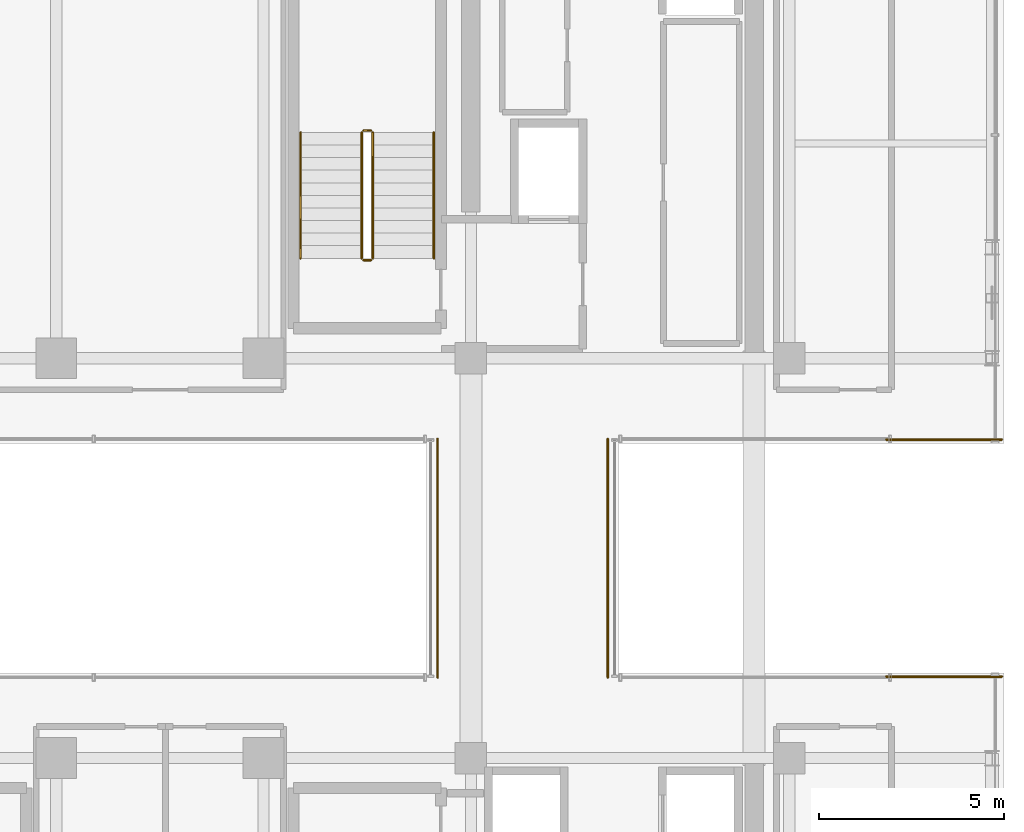
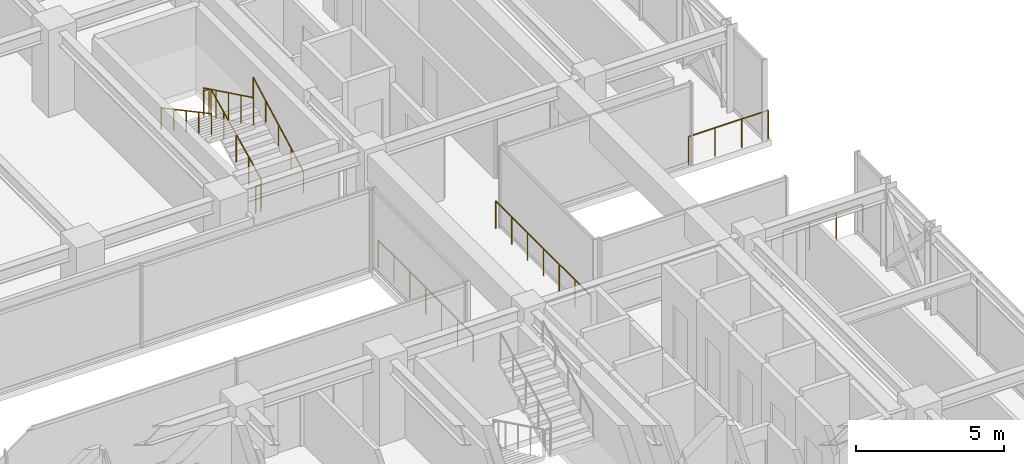
# One storey, part 35 of 36: 10 railings.
"""IFC4 building model written with IfcOpenShell, lengths in metres."""

from ifc_helpers import new_model, si_unit, direction, frame, origin, origin_2d, place, context, subcontext, project, spatial, circle, extrude, material, type_object, element, save


model = new_model("IFC4")

# Units and contexts
model_context = context("Model", 3, precision=1e-05, world=origin(), true_north=direction((0.0, 1.0)))
body_context = subcontext(model_context, "Body", "Model", "MODEL_VIEW")
ifc_project = project(units=[si_unit("LENGTHUNIT", "METRE"), si_unit("AREAUNIT", "SQUARE_METRE"), si_unit("VOLUMEUNIT", "CUBIC_METRE"), si_unit("PLANEANGLEUNIT", "RADIAN"), si_unit("MASSUNIT", "GRAM", prefix="KILO")], contexts=[model_context])

# Site, building, storey
site_placement = place(None, origin())
site = spatial("IfcSite", under=ifc_project, at=site_placement, CompositionType="ELEMENT")
building_placement = place(site_placement, origin())
building = spatial("IfcBuilding", under=site, at=building_placement, Name="Nahalor Promenade Grand Hotel", CompositionType="ELEMENT")
storey_placement = place(building_placement, frame((0.0, 0.0, 170.89990234375)))
storey = spatial("IfcBuildingStorey", under=building, at=storey_placement, Name="L43", CompositionType="ELEMENT", Elevation=170.89990234375)

# Railings
ifc_material_1 = material(Name="Anodised Bronze Aluminium EN AW-6063 T6", Category="aluminium")
railing_type_1 = type_object("IfcRailingType", Name="Bronze Balcony Guardrail 1200 mm", PredefinedType="GUARDRAIL", material=ifc_material_1)
for number, where, name in (
    (1, (19.6201171875, -3.199951171875, 0.0), "L43 Oculus Void Edge Guardrail ES"),
    (2, (19.6201171875, 3.199951171875, 0.0), "L43 Oculus Void Edge Guardrail EN"),
):
    element("IfcRailing", number, at=place(storey_placement, frame(where)), inside=storey, type_object=railing_type_1, Name=name, PredefinedType="GUARDRAIL", context=body_context, shape_type="SweptSolid", body=[
        extrude(circle(Radius=0.024048, at=origin_2d()), frame((0.0, 0.0, 1.17578125), z_axis=(1.0, 0.0, 0.0), x_axis=(0.0, 1.0, 0.0)), (0.0, 0.0, 1.0), 3.119873046875),
        extrude(circle(Radius=0.020996, at=origin_2d()), origin(), (0.0, 0.0, 1.0), 1.14990234375),
        extrude(circle(Radius=0.020996, at=origin_2d()), frame((1.0400390625, 0.0, 0.0)), (0.0, 0.0, 1.0), 1.14990234375),
        extrude(circle(Radius=0.020996, at=origin_2d()), frame((2.079833984375, 0.0, 0.0)), (0.0, 0.0, 1.0), 1.14990234375),
        extrude(circle(Radius=0.020996, at=origin_2d()), frame((3.119873046875, 0.0, 0.0)), (0.0, 0.0, 1.0), 1.14990234375),
    ])
railing_type_2 = type_object("IfcRailingType", Name="Bronze Sky Balustrade 1150 mm", PredefinedType="BALUSTRADE", material=ifc_material_1)
for number, where, name in (
    (3, (7.5, -3.219970703125, 0.0), "BL-L43-BRG-W"),
    (4, (12.10009765625, -3.219970703125, 0.0), "BL-L43-BRG-E"),
):
    element("IfcRailing", number, at=place(storey_placement, frame(where)), inside=storey, type_object=railing_type_2, Name=name, PredefinedType="BALUSTRADE", context=body_context, shape_type="SweptSolid", body=[
        extrude(circle(Radius=0.024048, at=origin_2d()), frame((0.0, 0.0, 1.1259765625), z_axis=(0.0, 1.0, 0.0), x_axis=(-1.0, 0.0, 0.0)), (0.0, 0.0, 1.0), 6.43994140625),
        extrude(circle(Radius=0.020996, at=origin_2d()), origin(), (0.0, 0.0, 1.0), 1.099853515625),
        extrude(circle(Radius=0.020996, at=origin_2d()), frame((0.0, 1.0732421875, 0.0)), (0.0, 0.0, 1.0), 1.099853515625),
        extrude(circle(Radius=0.020996, at=origin_2d()), frame((0.0, 2.146728515625, 0.0)), (0.0, 0.0, 1.0), 1.099853515625),
        extrude(circle(Radius=0.020996, at=origin_2d()), frame((0.0, 3.219970703125, 0.0)), (0.0, 0.0, 1.0), 1.099853515625),
        extrude(circle(Radius=0.020996, at=origin_2d()), frame((0.0, 4.293212890625, 0.0)), (0.0, 0.0, 1.0), 1.099853515625),
        extrude(circle(Radius=0.020996, at=origin_2d()), frame((0.0, 5.36669921875, 0.0)), (0.0, 0.0, 1.0), 1.099853515625),
        extrude(circle(Radius=0.020996, at=origin_2d()), frame((0.0, 6.43994140625, 0.0)), (0.0, 0.0, 1.0), 1.099853515625),
    ])
ifc_material_2 = material(Name="Steel S355JR", Category="steel")
railing_type_3 = type_object("IfcRailingType", Name="Steel Stair Guardrail 1150 mm", PredefinedType="GUARDRAIL", material=ifc_material_2)
railing_1_placement = place(storey_placement, frame((5.75, 8.10009765625, 0.166015625)))
element("IfcRailing", 5, at=railing_1_placement, inside=storey, type_object=railing_type_3, Name="L43 ST1 stair guard 1", PredefinedType="GUARDRAIL", context=body_context, shape_type="SweptSolid", body=[
    extrude(circle(Radius=0.024048, at=origin_2d()), frame((0.0, 0.0, 1.1259765625), z_axis=(0.0, 0.898696488221, 0.438571114028), x_axis=(-1.0, 0.0, 0.0)), (0.0, 0.0, 1.0), 3.783203125),
    extrude(circle(Radius=0.020996, at=origin_2d()), origin(), (0.0, 0.0, 1.0), 1.099853515625),
    extrude(circle(Radius=0.020996, at=origin_2d()), frame((0.0, 0.85009765625, 0.414794921875)), (0.0, 0.0, 1.0), 1.099853515625),
    extrude(circle(Radius=0.020996, at=origin_2d()), frame((0.0, 1.699951171875, 0.82958984375)), (0.0, 0.0, 1.0), 1.099853515625),
    extrude(circle(Radius=0.020996, at=origin_2d()), frame((0.0, 2.5498046875, 1.244384765625)), (0.0, 0.0, 1.0), 1.099853515625),
    extrude(circle(Radius=0.020996, at=origin_2d()), frame((0.0, 3.39990234375, 1.6591796875)), (0.0, 0.0, 1.0), 1.099853515625),
])
railing_2_placement = place(storey_placement, frame((5.699951171875, 11.550048828125, 1.8251953125)))
element("IfcRailing", 6, at=railing_2_placement, inside=storey, type_object=railing_type_3, Name="L43 ST1 stair guard 2", PredefinedType="GUARDRAIL", context=body_context, shape_type="SweptSolid", body=[
    extrude(circle(Radius=0.024048, at=origin_2d()), frame((0.0, 0.0, 1.1259765625), z_axis=(-1.0, 0.0, 0.0), x_axis=(0.0, -1.0, 0.0)), (0.0, 0.0, 1.0), 0.199951171875),
    extrude(circle(Radius=0.020996, at=origin_2d()), origin(), (0.0, 0.0, 1.0), 1.099853515625),
    extrude(circle(Radius=0.020996, at=origin_2d()), frame((-0.199951171875, 0.0, 0.0)), (0.0, 0.0, 1.0), 1.099853515625),
])
railing_3_placement = place(storey_placement, frame((5.449951171875, 11.5, 1.990966796875)))
element("IfcRailing", 7, at=railing_3_placement, inside=storey, type_object=railing_type_3, Name="L43 ST1 stair guard 3", PredefinedType="GUARDRAIL", context=body_context, shape_type="SweptSolid", body=[
    extrude(circle(Radius=0.024048, at=origin_2d()), frame((0.0, 0.0, 1.1259765625), z_axis=(0.0, -0.898696488221, 0.438571114028), x_axis=(1.0, 0.0, 0.0)), (0.0, 0.0, 1.0), 3.783203125),
    extrude(circle(Radius=0.020996, at=origin_2d()), origin(), (0.0, 0.0, 1.0), 1.099853515625),
    extrude(circle(Radius=0.020996, at=origin_2d()), frame((0.0, -0.85009765625, 0.414794921875)), (0.0, 0.0, 1.0), 1.099853515625),
    extrude(circle(Radius=0.020996, at=origin_2d()), frame((0.0, -1.699951171875, 0.82958984375)), (0.0, 0.0, 1.0), 1.099853515625),
    extrude(circle(Radius=0.020996, at=origin_2d()), frame((0.0, -2.5498046875, 1.244384765625)), (0.0, 0.0, 1.0), 1.099853515625),
    extrude(circle(Radius=0.020996, at=origin_2d()), frame((0.0, -3.39990234375, 1.6591796875)), (0.0, 0.0, 1.0), 1.099853515625),
])
railing_4_placement = place(storey_placement, frame((5.699951171875, 8.050048828125, 0.0)))
element("IfcRailing", 8, at=railing_4_placement, inside=storey, type_object=railing_type_3, Name="L43 ST1 stair guard 4", PredefinedType="GUARDRAIL", context=body_context, shape_type="SweptSolid", body=[
    extrude(circle(Radius=0.024048, at=origin_2d()), frame((0.0, 0.0, 1.1259765625), z_axis=(-1.0, 0.0, 0.0), x_axis=(0.0, -1.0, 0.0)), (0.0, 0.0, 1.0), 0.199951171875),
    extrude(circle(Radius=0.020996, at=origin_2d()), origin(), (0.0, 0.0, 1.0), 1.099853515625),
    extrude(circle(Radius=0.020996, at=origin_2d()), frame((-0.199951171875, 0.0, 0.0)), (0.0, 0.0, 1.0), 1.099853515625),
])
railing_type_4 = type_object("IfcRailingType", Name="Steel Stair Handrail 900 mm", PredefinedType="HANDRAIL", material=ifc_material_2)
railing_5_placement = place(storey_placement, frame((7.39990234375, 8.10009765625, 0.166015625)))
element("IfcRailing", 9, at=railing_5_placement, inside=storey, type_object=railing_type_4, Name="L43 ST1 stair handrail 1", PredefinedType="HANDRAIL", context=body_context, shape_type="SweptSolid", body=[
    extrude(circle(Radius=0.024048, at=origin_2d()), frame((0.0, 0.0, 0.8759765625), z_axis=(0.0, 0.881094038095, 0.47294111265), x_axis=(-1.0, 0.0, 0.0)), (0.0, 0.0, 1.0), 3.858642578125),
    extrude(circle(Radius=0.020996, at=origin_2d()), origin(), (0.0, 0.0, 1.0), 0.849853515625),
    extrude(circle(Radius=0.020996, at=origin_2d()), frame((0.0, 0.85009765625, 0.456298828125)), (0.0, 0.0, 1.0), 0.849853515625),
    extrude(circle(Radius=0.020996, at=origin_2d()), frame((0.0, 1.699951171875, 0.91259765625)), (0.0, 0.0, 1.0), 0.849853515625),
    extrude(circle(Radius=0.020996, at=origin_2d()), frame((0.0, 2.5498046875, 1.36865234375)), (0.0, 0.0, 1.0), 0.849853515625),
    extrude(circle(Radius=0.020996, at=origin_2d()), frame((0.0, 3.39990234375, 1.824951171875)), (0.0, 0.0, 1.0), 0.849853515625),
])
railing_6_placement = place(storey_placement, frame((3.800048828125, 11.5, 1.990966796875)))
element("IfcRailing", 10, at=railing_6_placement, inside=storey, type_object=railing_type_4, Name="L43 ST1 stair handrail 2", PredefinedType="HANDRAIL", context=body_context, shape_type="SweptSolid", body=[
    extrude(circle(Radius=0.024048, at=origin_2d()), frame((0.0, 0.0, 0.8759765625), z_axis=(0.0, -0.881094038095, 0.47294111265), x_axis=(1.0, 0.0, 0.0)), (0.0, 0.0, 1.0), 3.858642578125),
    extrude(circle(Radius=0.020996, at=origin_2d()), origin(), (0.0, 0.0, 1.0), 0.849853515625),
    extrude(circle(Radius=0.020996, at=origin_2d()), frame((0.0, -0.85009765625, 0.456298828125)), (0.0, 0.0, 1.0), 0.849853515625),
    extrude(circle(Radius=0.020996, at=origin_2d()), frame((0.0, -1.699951171875, 0.91259765625)), (0.0, 0.0, 1.0), 0.849853515625),
    extrude(circle(Radius=0.020996, at=origin_2d()), frame((0.0, -2.5498046875, 1.36865234375)), (0.0, 0.0, 1.0), 0.849853515625),
    extrude(circle(Radius=0.020996, at=origin_2d()), frame((0.0, -3.39990234375, 1.824951171875)), (0.0, 0.0, 1.0), 0.849853515625),
])

save(model, "model.ifc")
